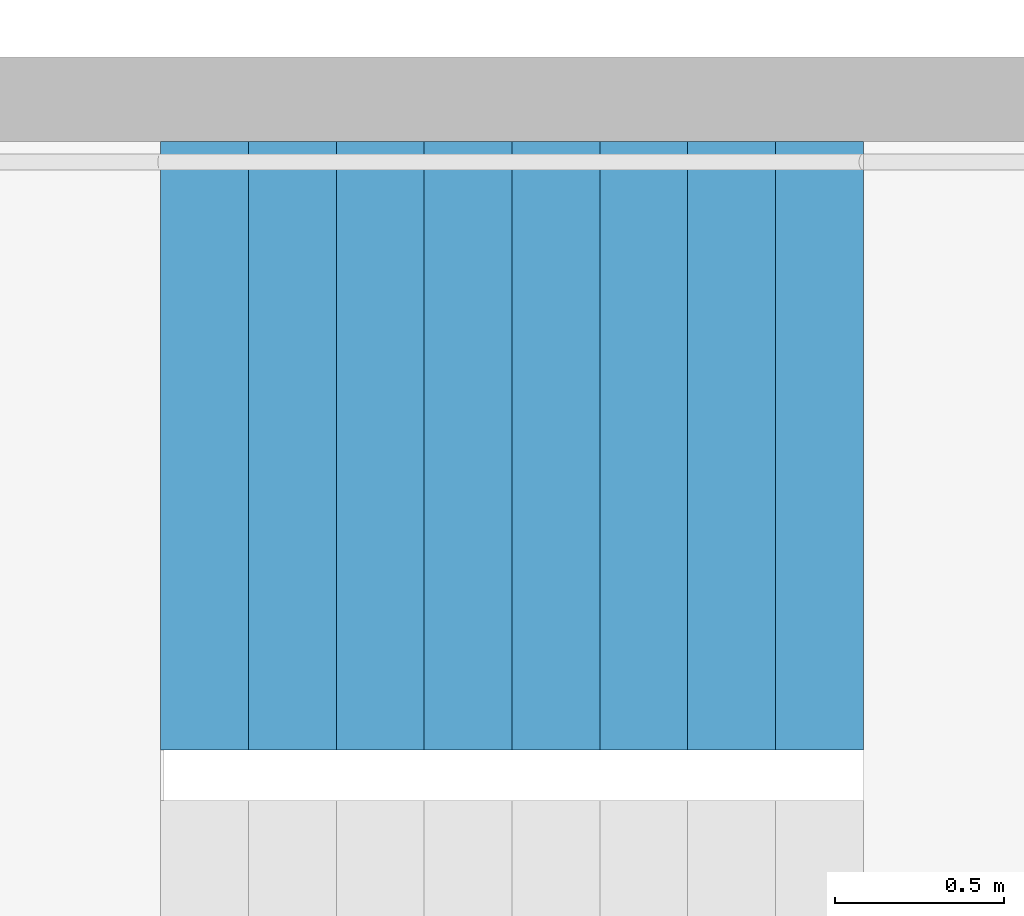
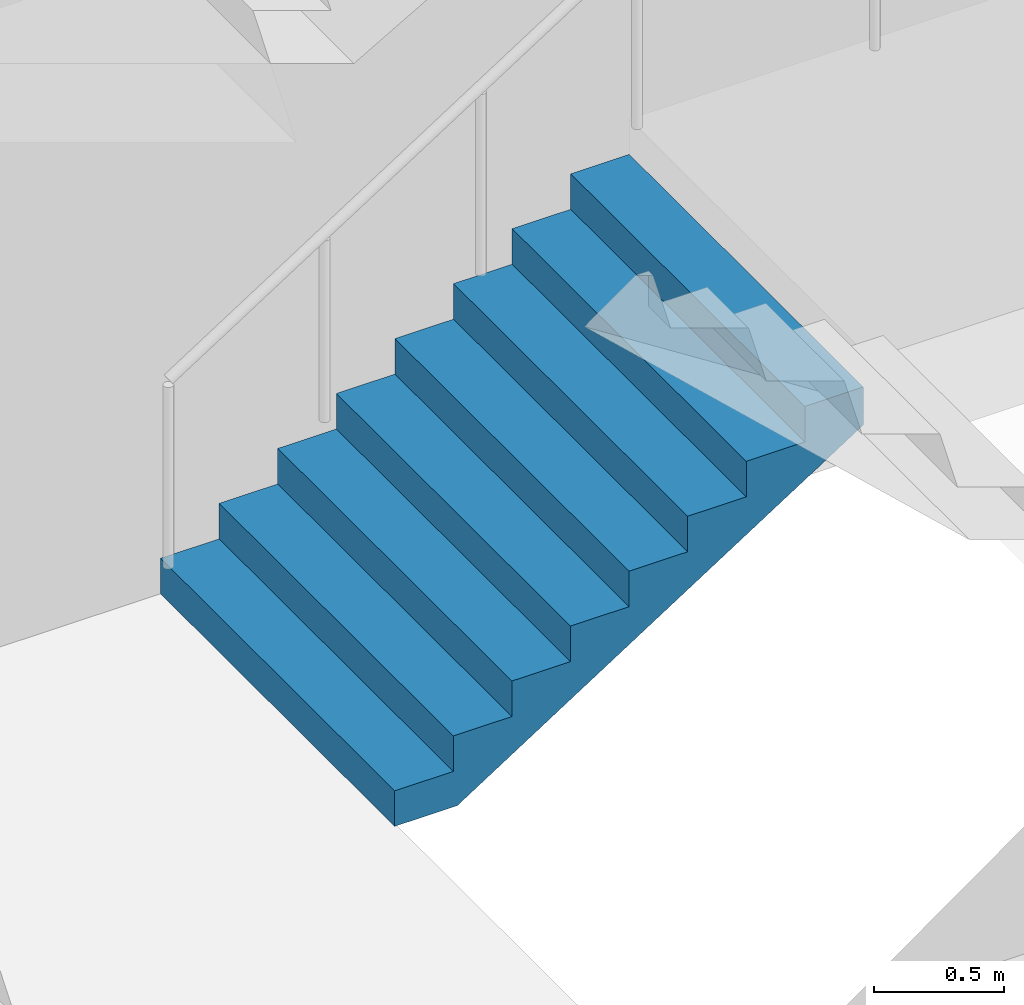
# One storey, part 28 of 35: 1 stair flight, 1 element without a shape of its own.
"""IFC4 building model written with IfcOpenShell, lengths in metres."""

from ifc_helpers import new_model, si_unit, direction, frame, origin, place, context, subcontext, project, spatial, triangles, material, type_object, element, aggregate, save


model = new_model("IFC4")

# Units and contexts
model_context = context("Model", 3, precision=1e-05, world=origin(), true_north=direction((0.0, 1.0)))
body_context = subcontext(model_context, "Body", "Model", "MODEL_VIEW")
ifc_project = project(units=[si_unit("LENGTHUNIT", "METRE"), si_unit("AREAUNIT", "SQUARE_METRE"), si_unit("VOLUMEUNIT", "CUBIC_METRE"), si_unit("PLANEANGLEUNIT", "RADIAN"), si_unit("MASSUNIT", "GRAM", prefix="KILO")], contexts=[model_context])

# Site, building, storey
site_placement = place(None, origin())
site = spatial("IfcSite", under=ifc_project, at=site_placement, CompositionType="ELEMENT")
building_placement = place(site_placement, origin())
building = spatial("IfcBuilding", under=site, at=building_placement, Name="Hakoniwa Tower and Hamabe Station Hall", CompositionType="ELEMENT")
storey_placement = place(building_placement, frame((0.0, 0.0, 264.60009765625)))
storey = spatial("IfcBuildingStorey", under=building, at=storey_placement, Name="L75", CompositionType="ELEMENT", Elevation=264.60009765625)

# Stair, stair flight
ifc_material_1 = material(Name="Concrete C40", Category="concrete")
stair_type = type_object("IfcStairType", Name="ESCAPE STAIR 1800", PredefinedType="HALF_TURN_STAIR", material=ifc_material_1)
stair_placement = place(storey_placement, origin())
stair = element("IfcStair", 1, at=stair_placement, inside=storey, type_object=stair_type, Name="Escape stair ST-4 L75", PredefinedType="HALF_TURN_STAIR")
ifc_material_2 = material(Name="Concrete C40", Category="concrete")
stair_flight_type = type_object("IfcStairFlightType", Name="STAIR FLIGHT 1800", PredefinedType="STRAIGHT", material=ifc_material_2)
stair_flight_placement = place(storey_placement, frame((23.39990234375, -4.64990234375, 0.0), z_axis=(0.0, 0.0, 1.0), x_axis=(1.0, 0.0, 0.0)))
stair_flight = element("IfcStairFlight", 2, at=stair_flight_placement, type_object=stair_flight_type, Name="ST-4 flight 1", NumberOfRisers=9, NumberOfTreads=8, PredefinedType="STRAIGHT", RiserHeight=0.166666667, TreadLength=0.26, context=body_context, shape_type="Tessellation", body=[
    triangles([(0.0, 0.89990234375, 0.0), (0.260009765625, 0.89990234375, 0.0), (0.27783203125, 0.89990234375, 0.0), (0.52001953125, 0.89990234375, 0.1552734375), (0.780029296875, 0.89990234375, 0.322021484375), (1.0400390625, 0.89990234375, 0.488525390625), (1.300048828125, 0.89990234375, 0.6552734375), (1.56005859375, 0.89990234375, 0.822021484375), (1.820068359375, 0.89990234375, 0.988525390625), (2.080078125, 0.89990234375, 1.1552734375), (2.080078125, 0.89990234375, 1.333251953125), (1.820068359375, 0.89990234375, 1.333251953125), (1.820068359375, 0.89990234375, 1.166748046875), (1.56005859375, 0.89990234375, 1.166748046875), (1.56005859375, 0.89990234375, 1.0), (1.300048828125, 0.89990234375, 1.0), (1.300048828125, 0.89990234375, 0.833251953125), (1.0400390625, 0.89990234375, 0.833251953125), (1.0400390625, 0.89990234375, 0.666748046875), (0.780029296875, 0.89990234375, 0.666748046875), (0.780029296875, 0.89990234375, 0.5), (0.52001953125, 0.89990234375, 0.5), (0.52001953125, 0.89990234375, 0.333251953125), (0.27783203125, 0.89990234375, 0.333251953125), (0.260009765625, 0.89990234375, 0.333251953125), (0.260009765625, 0.89990234375, 0.166748046875), (0.0, 0.89990234375, 0.166748046875), (0.0, 0.06005859375, 0.0), (0.260009765625, 0.06005859375, 0.0), (0.27783203125, 0.06005859375, 0.0), (0.52001953125, 0.06005859375, 0.1552734375), (0.780029296875, 0.06005859375, 0.322021484375), (1.0400390625, 0.06005859375, 0.488525390625), (1.300048828125, 0.06005859375, 0.6552734375), (1.56005859375, 0.06005859375, 0.822021484375), (1.820068359375, 0.06005859375, 0.988525390625), (2.080078125, 0.06005859375, 1.1552734375), (2.080078125, 0.06005859375, 1.333251953125), (1.820068359375, 0.06005859375, 1.333251953125), (1.820068359375, 0.06005859375, 1.166748046875), (1.56005859375, 0.06005859375, 1.166748046875), (1.56005859375, 0.06005859375, 1.0), (1.300048828125, 0.06005859375, 1.0), (1.300048828125, 0.06005859375, 0.833251953125), (1.0400390625, 0.06005859375, 0.833251953125), (1.0400390625, 0.06005859375, 0.666748046875), (0.780029296875, 0.06005859375, 0.666748046875), (0.780029296875, 0.06005859375, 0.5), (0.52001953125, 0.06005859375, 0.5), (0.52001953125, 0.06005859375, 0.333251953125), (0.27783203125, 0.06005859375, 0.333251953125), (0.260009765625, 0.06005859375, 0.333251953125), (0.260009765625, 0.06005859375, 0.166748046875), (0.0, 0.06005859375, 0.166748046875), (0.0, 0.04296875, 0.0), (0.260009765625, 0.04296875, 0.0), (0.27783203125, 0.04296875, 0.0), (0.52001953125, 0.04296875, 0.1552734375), (0.780029296875, 0.04296875, 0.322021484375), (1.0400390625, 0.04296875, 0.488525390625), (1.300048828125, 0.04296875, 0.6552734375), (1.56005859375, 0.04296875, 0.822021484375), (1.820068359375, 0.04296875, 0.988525390625), (2.080078125, 0.04296875, 1.1552734375), (2.080078125, 0.04296875, 1.333251953125), (1.820068359375, 0.04296875, 1.333251953125), (1.820068359375, 0.04296875, 1.166748046875), (1.56005859375, 0.04296875, 1.166748046875), (1.56005859375, 0.04296875, 1.0), (1.300048828125, 0.04296875, 1.0), (1.300048828125, 0.04296875, 0.833251953125), (1.0400390625, 0.04296875, 0.833251953125), (1.0400390625, 0.04296875, 0.666748046875), (0.780029296875, 0.04296875, 0.666748046875), (0.780029296875, 0.04296875, 0.5), (0.52001953125, 0.04296875, 0.5), (0.52001953125, 0.04296875, 0.333251953125), (0.27783203125, 0.04296875, 0.333251953125), (0.260009765625, 0.04296875, 0.333251953125), (0.260009765625, 0.04296875, 0.166748046875), (0.0, 0.04296875, 0.166748046875), (0.0, 0.025634765625, 0.0), (0.260009765625, 0.025634765625, 0.0), (0.27783203125, 0.025634765625, 0.0), (0.52001953125, 0.025634765625, 0.1552734375), (0.780029296875, 0.025634765625, 0.322021484375), (1.0400390625, 0.025634765625, 0.488525390625), (1.300048828125, 0.025634765625, 0.6552734375), (1.56005859375, 0.025634765625, 0.822021484375), (1.820068359375, 0.025634765625, 0.988525390625), (2.080078125, 0.025634765625, 1.1552734375), (2.080078125, 0.025634765625, 1.333251953125), (1.820068359375, 0.025634765625, 1.333251953125), (1.820068359375, 0.025634765625, 1.166748046875), (1.56005859375, 0.025634765625, 1.166748046875), (1.56005859375, 0.025634765625, 1.0), (1.300048828125, 0.025634765625, 1.0), (1.300048828125, 0.025634765625, 0.833251953125), (1.0400390625, 0.025634765625, 0.833251953125), (1.0400390625, 0.025634765625, 0.666748046875), (0.780029296875, 0.025634765625, 0.666748046875), (0.780029296875, 0.025634765625, 0.5), (0.52001953125, 0.025634765625, 0.5), (0.52001953125, 0.025634765625, 0.333251953125), (0.27783203125, 0.025634765625, 0.333251953125), (0.260009765625, 0.025634765625, 0.333251953125), (0.260009765625, 0.025634765625, 0.166748046875), (0.0, 0.025634765625, 0.166748046875), (0.0, 0.008544921875, 0.0), (0.260009765625, 0.008544921875, 0.0), (0.27783203125, 0.008544921875, 0.0), (0.52001953125, 0.008544921875, 0.1552734375), (0.780029296875, 0.008544921875, 0.322021484375), (1.0400390625, 0.008544921875, 0.488525390625), (1.300048828125, 0.008544921875, 0.6552734375), (1.56005859375, 0.008544921875, 0.822021484375), (1.820068359375, 0.008544921875, 0.988525390625), (2.080078125, 0.008544921875, 1.1552734375), (2.080078125, 0.008544921875, 1.333251953125), (1.820068359375, 0.008544921875, 1.333251953125), (1.820068359375, 0.008544921875, 1.166748046875), (1.56005859375, 0.008544921875, 1.166748046875), (1.56005859375, 0.008544921875, 1.0), (1.300048828125, 0.008544921875, 1.0), (1.300048828125, 0.008544921875, 0.833251953125), (1.0400390625, 0.008544921875, 0.833251953125), (1.0400390625, 0.008544921875, 0.666748046875), (0.780029296875, 0.008544921875, 0.666748046875), (0.780029296875, 0.008544921875, 0.5), (0.52001953125, 0.008544921875, 0.5), (0.52001953125, 0.008544921875, 0.333251953125), (0.27783203125, 0.008544921875, 0.333251953125), (0.260009765625, 0.008544921875, 0.333251953125), (0.260009765625, 0.008544921875, 0.166748046875), (0.0, 0.008544921875, 0.166748046875), (0.0, -0.008544921875, 0.0), (0.260009765625, -0.008544921875, 0.0), (0.27783203125, -0.008544921875, 0.0), (0.52001953125, -0.008544921875, 0.1552734375), (0.780029296875, -0.008544921875, 0.322021484375), (1.0400390625, -0.008544921875, 0.488525390625), (1.300048828125, -0.008544921875, 0.6552734375), (1.56005859375, -0.008544921875, 0.822021484375), (1.820068359375, -0.008544921875, 0.988525390625), (2.080078125, -0.008544921875, 1.1552734375), (2.080078125, -0.008544921875, 1.333251953125), (1.820068359375, -0.008544921875, 1.333251953125), (1.820068359375, -0.008544921875, 1.166748046875), (1.56005859375, -0.008544921875, 1.166748046875), (1.56005859375, -0.008544921875, 1.0), (1.300048828125, -0.008544921875, 1.0), (1.300048828125, -0.008544921875, 0.833251953125), (1.0400390625, -0.008544921875, 0.833251953125), (1.0400390625, -0.008544921875, 0.666748046875), (0.780029296875, -0.008544921875, 0.666748046875), (0.780029296875, -0.008544921875, 0.5), (0.52001953125, -0.008544921875, 0.5), (0.52001953125, -0.008544921875, 0.333251953125), (0.27783203125, -0.008544921875, 0.333251953125), (0.260009765625, -0.008544921875, 0.333251953125), (0.260009765625, -0.008544921875, 0.166748046875), (0.0, -0.008544921875, 0.166748046875), (0.0, -0.025634765625, 0.0), (0.260009765625, -0.025634765625, 0.0), (0.27783203125, -0.025634765625, 0.0), (0.52001953125, -0.025634765625, 0.1552734375), (0.780029296875, -0.025634765625, 0.322021484375), (1.0400390625, -0.025634765625, 0.488525390625), (1.300048828125, -0.025634765625, 0.6552734375), (1.56005859375, -0.025634765625, 0.822021484375), (1.820068359375, -0.025634765625, 0.988525390625), (2.080078125, -0.025634765625, 1.1552734375), (2.080078125, -0.025634765625, 1.333251953125), (1.820068359375, -0.025634765625, 1.333251953125), (1.820068359375, -0.025634765625, 1.166748046875), (1.56005859375, -0.025634765625, 1.166748046875), (1.56005859375, -0.025634765625, 1.0), (1.300048828125, -0.025634765625, 1.0), (1.300048828125, -0.025634765625, 0.833251953125), (1.0400390625, -0.025634765625, 0.833251953125), (1.0400390625, -0.025634765625, 0.666748046875), (0.780029296875, -0.025634765625, 0.666748046875), (0.780029296875, -0.025634765625, 0.5), (0.52001953125, -0.025634765625, 0.5), (0.52001953125, -0.025634765625, 0.333251953125), (0.27783203125, -0.025634765625, 0.333251953125), (0.260009765625, -0.025634765625, 0.333251953125), (0.260009765625, -0.025634765625, 0.166748046875), (0.0, -0.025634765625, 0.166748046875), (0.0, -0.04296875, 0.0), (0.260009765625, -0.04296875, 0.0), (0.27783203125, -0.04296875, 0.0), (0.52001953125, -0.04296875, 0.1552734375), (0.780029296875, -0.04296875, 0.322021484375), (1.0400390625, -0.04296875, 0.488525390625), (1.300048828125, -0.04296875, 0.6552734375), (1.56005859375, -0.04296875, 0.822021484375), (1.820068359375, -0.04296875, 0.988525390625), (2.080078125, -0.04296875, 1.1552734375), (2.080078125, -0.04296875, 1.333251953125), (1.820068359375, -0.04296875, 1.333251953125), (1.820068359375, -0.04296875, 1.166748046875), (1.56005859375, -0.04296875, 1.166748046875), (1.56005859375, -0.04296875, 1.0), (1.300048828125, -0.04296875, 1.0), (1.300048828125, -0.04296875, 0.833251953125), (1.0400390625, -0.04296875, 0.833251953125), (1.0400390625, -0.04296875, 0.666748046875), (0.780029296875, -0.04296875, 0.666748046875), (0.780029296875, -0.04296875, 0.5), (0.52001953125, -0.04296875, 0.5), (0.52001953125, -0.04296875, 0.333251953125), (0.27783203125, -0.04296875, 0.333251953125), (0.260009765625, -0.04296875, 0.333251953125), (0.260009765625, -0.04296875, 0.166748046875), (0.0, -0.04296875, 0.166748046875), (0.0, -0.06005859375, 0.0), (0.260009765625, -0.06005859375, 0.0), (0.27783203125, -0.06005859375, 0.0), (0.52001953125, -0.06005859375, 0.1552734375), (0.780029296875, -0.06005859375, 0.322021484375), (1.0400390625, -0.06005859375, 0.488525390625), (1.300048828125, -0.06005859375, 0.6552734375), (1.56005859375, -0.06005859375, 0.822021484375), (1.820068359375, -0.06005859375, 0.988525390625), (2.080078125, -0.06005859375, 1.1552734375), (2.080078125, -0.06005859375, 1.333251953125), (1.820068359375, -0.06005859375, 1.333251953125), (1.820068359375, -0.06005859375, 1.166748046875), (1.56005859375, -0.06005859375, 1.166748046875), (1.56005859375, -0.06005859375, 1.0), (1.300048828125, -0.06005859375, 1.0), (1.300048828125, -0.06005859375, 0.833251953125), (1.0400390625, -0.06005859375, 0.833251953125), (1.0400390625, -0.06005859375, 0.666748046875), (0.780029296875, -0.06005859375, 0.666748046875), (0.780029296875, -0.06005859375, 0.5), (0.52001953125, -0.06005859375, 0.5), (0.52001953125, -0.06005859375, 0.333251953125), (0.27783203125, -0.06005859375, 0.333251953125), (0.260009765625, -0.06005859375, 0.333251953125), (0.260009765625, -0.06005859375, 0.166748046875), (0.0, -0.06005859375, 0.166748046875), (0.0, -0.89990234375, 0.0), (0.260009765625, -0.89990234375, 0.0), (0.27783203125, -0.89990234375, 0.0), (0.52001953125, -0.89990234375, 0.1552734375), (0.780029296875, -0.89990234375, 0.322021484375), (1.0400390625, -0.89990234375, 0.488525390625), (1.300048828125, -0.89990234375, 0.6552734375), (1.56005859375, -0.89990234375, 0.822021484375), (1.820068359375, -0.89990234375, 0.988525390625), (2.080078125, -0.89990234375, 1.1552734375), (2.080078125, -0.89990234375, 1.333251953125), (1.820068359375, -0.89990234375, 1.333251953125), (1.820068359375, -0.89990234375, 1.166748046875), (1.56005859375, -0.89990234375, 1.166748046875), (1.56005859375, -0.89990234375, 1.0), (1.300048828125, -0.89990234375, 1.0), (1.300048828125, -0.89990234375, 0.833251953125), (1.0400390625, -0.89990234375, 0.833251953125), (1.0400390625, -0.89990234375, 0.666748046875), (0.780029296875, -0.89990234375, 0.666748046875), (0.780029296875, -0.89990234375, 0.5), (0.52001953125, -0.89990234375, 0.5), (0.52001953125, -0.89990234375, 0.333251953125), (0.27783203125, -0.89990234375, 0.333251953125), (0.260009765625, -0.89990234375, 0.333251953125), (0.260009765625, -0.89990234375, 0.166748046875), (0.0, -0.89990234375, 0.166748046875)], [[2, 27, 26], [245, 269, 270], [2, 1, 27], [245, 270, 244], [3, 25, 24], [246, 267, 268], [3, 26, 25], [246, 268, 269], [3, 2, 26], [246, 269, 245], [4, 24, 23], [247, 266, 267], [4, 3, 24], [247, 267, 246], [5, 22, 21], [248, 264, 265], [5, 23, 22], [248, 265, 266], [5, 4, 23], [248, 266, 247], [6, 20, 19], [249, 262, 263], [6, 21, 20], [249, 263, 264], [6, 5, 21], [249, 264, 248], [7, 18, 17], [250, 260, 261], [7, 19, 18], [250, 261, 262], [7, 6, 19], [250, 262, 249], [8, 16, 15], [251, 258, 259], [8, 17, 16], [251, 259, 260], [8, 7, 17], [251, 260, 250], [9, 14, 13], [252, 256, 257], [9, 15, 14], [252, 257, 258], [9, 8, 15], [252, 258, 251], [10, 12, 11], [253, 254, 255], [10, 13, 12], [253, 255, 256], [10, 9, 13], [253, 256, 252], [1, 2, 29], [1, 29, 28], [28, 29, 56], [28, 56, 55], [55, 56, 83], [55, 83, 82], [82, 83, 110], [82, 110, 109], [109, 110, 137], [109, 137, 136], [136, 137, 164], [136, 164, 163], [163, 164, 191], [163, 191, 190], [190, 191, 218], [190, 218, 217], [217, 218, 245], [217, 245, 244], [2, 3, 30], [2, 30, 29], [29, 30, 57], [29, 57, 56], [56, 57, 84], [56, 84, 83], [83, 84, 111], [83, 111, 110], [110, 111, 138], [110, 138, 137], [137, 138, 165], [137, 165, 164], [164, 165, 192], [164, 192, 191], [191, 192, 219], [191, 219, 218], [218, 219, 246], [218, 246, 245], [3, 4, 31], [3, 31, 30], [30, 31, 58], [30, 58, 57], [57, 58, 85], [57, 85, 84], [84, 85, 112], [84, 112, 111], [111, 112, 139], [111, 139, 138], [138, 139, 166], [138, 166, 165], [165, 166, 193], [165, 193, 192], [192, 193, 220], [192, 220, 219], [219, 220, 247], [219, 247, 246], [4, 5, 32], [4, 32, 31], [31, 32, 59], [31, 59, 58], [58, 59, 86], [58, 86, 85], [85, 86, 113], [85, 113, 112], [112, 113, 140], [112, 140, 139], [139, 140, 167], [139, 167, 166], [166, 167, 194], [166, 194, 193], [193, 194, 221], [193, 221, 220], [220, 221, 248], [220, 248, 247], [5, 6, 33], [5, 33, 32], [32, 33, 60], [32, 60, 59], [59, 60, 87], [59, 87, 86], [86, 87, 114], [86, 114, 113], [113, 114, 141], [113, 141, 140], [140, 141, 168], [140, 168, 167], [167, 168, 195], [167, 195, 194], [194, 195, 222], [194, 222, 221], [221, 222, 249], [221, 249, 248], [6, 7, 34], [6, 34, 33], [33, 34, 61], [33, 61, 60], [60, 61, 88], [60, 88, 87], [87, 88, 115], [87, 115, 114], [114, 115, 142], [114, 142, 141], [141, 142, 169], [141, 169, 168], [168, 169, 196], [168, 196, 195], [195, 196, 223], [195, 223, 222], [222, 223, 250], [222, 250, 249], [7, 8, 35], [7, 35, 34], [34, 35, 62], [34, 62, 61], [61, 62, 89], [61, 89, 88], [88, 89, 116], [88, 116, 115], [115, 116, 143], [115, 143, 142], [142, 143, 170], [142, 170, 169], [169, 170, 197], [169, 197, 196], [196, 197, 224], [196, 224, 223], [223, 224, 251], [223, 251, 250], [8, 9, 36], [8, 36, 35], [35, 36, 63], [35, 63, 62], [62, 63, 90], [62, 90, 89], [89, 90, 117], [89, 117, 116], [116, 117, 144], [116, 144, 143], [143, 144, 171], [143, 171, 170], [170, 171, 198], [170, 198, 197], [197, 198, 225], [197, 225, 224], [224, 225, 252], [224, 252, 251], [9, 10, 37], [9, 37, 36], [36, 37, 64], [36, 64, 63], [63, 64, 91], [63, 91, 90], [90, 91, 118], [90, 118, 117], [117, 118, 145], [117, 145, 144], [144, 145, 172], [144, 172, 171], [171, 172, 199], [171, 199, 198], [198, 199, 226], [198, 226, 225], [225, 226, 253], [225, 253, 252], [10, 11, 38], [10, 38, 37], [37, 38, 65], [37, 65, 64], [64, 65, 92], [64, 92, 91], [91, 92, 119], [91, 119, 118], [118, 119, 146], [118, 146, 145], [145, 146, 173], [145, 173, 172], [172, 173, 200], [172, 200, 199], [199, 200, 227], [199, 227, 226], [226, 227, 254], [226, 254, 253], [11, 12, 39], [11, 39, 38], [38, 39, 66], [38, 66, 65], [65, 66, 93], [65, 93, 92], [92, 93, 120], [92, 120, 119], [119, 120, 147], [119, 147, 146], [146, 147, 174], [146, 174, 173], [173, 174, 201], [173, 201, 200], [200, 201, 228], [200, 228, 227], [227, 228, 255], [227, 255, 254], [12, 13, 40], [12, 40, 39], [39, 40, 67], [39, 67, 66], [66, 67, 94], [66, 94, 93], [93, 94, 121], [93, 121, 120], [120, 121, 148], [120, 148, 147], [147, 148, 175], [147, 175, 174], [174, 175, 202], [174, 202, 201], [201, 202, 229], [201, 229, 228], [228, 229, 256], [228, 256, 255], [13, 14, 41], [13, 41, 40], [40, 41, 68], [40, 68, 67], [67, 68, 95], [67, 95, 94], [94, 95, 122], [94, 122, 121], [121, 122, 149], [121, 149, 148], [148, 149, 176], [148, 176, 175], [175, 176, 203], [175, 203, 202], [202, 203, 230], [202, 230, 229], [229, 230, 257], [229, 257, 256], [14, 15, 42], [14, 42, 41], [41, 42, 69], [41, 69, 68], [68, 69, 96], [68, 96, 95], [95, 96, 123], [95, 123, 122], [122, 123, 150], [122, 150, 149], [149, 150, 177], [149, 177, 176], [176, 177, 204], [176, 204, 203], [203, 204, 231], [203, 231, 230], [230, 231, 258], [230, 258, 257], [15, 16, 43], [15, 43, 42], [42, 43, 70], [42, 70, 69], [69, 70, 97], [69, 97, 96], [96, 97, 124], [96, 124, 123], [123, 124, 151], [123, 151, 150], [150, 151, 178], [150, 178, 177], [177, 178, 205], [177, 205, 204], [204, 205, 232], [204, 232, 231], [231, 232, 259], [231, 259, 258], [16, 17, 44], [16, 44, 43], [43, 44, 71], [43, 71, 70], [70, 71, 98], [70, 98, 97], [97, 98, 125], [97, 125, 124], [124, 125, 152], [124, 152, 151], [151, 152, 179], [151, 179, 178], [178, 179, 206], [178, 206, 205], [205, 206, 233], [205, 233, 232], [232, 233, 260], [232, 260, 259], [17, 18, 45], [17, 45, 44], [44, 45, 72], [44, 72, 71], [71, 72, 99], [71, 99, 98], [98, 99, 126], [98, 126, 125], [125, 126, 153], [125, 153, 152], [152, 153, 180], [152, 180, 179], [179, 180, 207], [179, 207, 206], [206, 207, 234], [206, 234, 233], [233, 234, 261], [233, 261, 260], [18, 19, 46], [18, 46, 45], [45, 46, 73], [45, 73, 72], [72, 73, 100], [72, 100, 99], [99, 100, 127], [99, 127, 126], [126, 127, 154], [126, 154, 153], [153, 154, 181], [153, 181, 180], [180, 181, 208], [180, 208, 207], [207, 208, 235], [207, 235, 234], [234, 235, 262], [234, 262, 261], [19, 20, 47], [19, 47, 46], [46, 47, 74], [46, 74, 73], [73, 74, 101], [73, 101, 100], [100, 101, 128], [100, 128, 127], [127, 128, 155], [127, 155, 154], [154, 155, 182], [154, 182, 181], [181, 182, 209], [181, 209, 208], [208, 209, 236], [208, 236, 235], [235, 236, 263], [235, 263, 262], [20, 21, 48], [20, 48, 47], [47, 48, 75], [47, 75, 74], [74, 75, 102], [74, 102, 101], [101, 102, 129], [101, 129, 128], [128, 129, 156], [128, 156, 155], [155, 156, 183], [155, 183, 182], [182, 183, 210], [182, 210, 209], [209, 210, 237], [209, 237, 236], [236, 237, 264], [236, 264, 263], [21, 22, 49], [21, 49, 48], [48, 49, 76], [48, 76, 75], [75, 76, 103], [75, 103, 102], [102, 103, 130], [102, 130, 129], [129, 130, 157], [129, 157, 156], [156, 157, 184], [156, 184, 183], [183, 184, 211], [183, 211, 210], [210, 211, 238], [210, 238, 237], [237, 238, 265], [237, 265, 264], [22, 23, 50], [22, 50, 49], [49, 50, 77], [49, 77, 76], [76, 77, 104], [76, 104, 103], [103, 104, 131], [103, 131, 130], [130, 131, 158], [130, 158, 157], [157, 158, 185], [157, 185, 184], [184, 185, 212], [184, 212, 211], [211, 212, 239], [211, 239, 238], [238, 239, 266], [238, 266, 265], [23, 24, 51], [23, 51, 50], [50, 51, 78], [50, 78, 77], [77, 78, 105], [77, 105, 104], [104, 105, 132], [104, 132, 131], [131, 132, 159], [131, 159, 158], [158, 159, 186], [158, 186, 185], [185, 186, 213], [185, 213, 212], [212, 213, 240], [212, 240, 239], [239, 240, 267], [239, 267, 266], [24, 25, 52], [24, 52, 51], [51, 52, 79], [51, 79, 78], [78, 79, 106], [78, 106, 105], [105, 106, 133], [105, 133, 132], [132, 133, 160], [132, 160, 159], [159, 160, 187], [159, 187, 186], [186, 187, 214], [186, 214, 213], [213, 214, 241], [213, 241, 240], [240, 241, 268], [240, 268, 267], [25, 26, 53], [25, 53, 52], [52, 53, 80], [52, 80, 79], [79, 80, 107], [79, 107, 106], [106, 107, 134], [106, 134, 133], [133, 134, 161], [133, 161, 160], [160, 161, 188], [160, 188, 187], [187, 188, 215], [187, 215, 214], [214, 215, 242], [214, 242, 241], [241, 242, 269], [241, 269, 268], [26, 27, 54], [26, 54, 53], [53, 54, 81], [53, 81, 80], [80, 81, 108], [80, 108, 107], [107, 108, 135], [107, 135, 134], [134, 135, 162], [134, 162, 161], [161, 162, 189], [161, 189, 188], [188, 189, 216], [188, 216, 215], [215, 216, 243], [215, 243, 242], [242, 243, 270], [242, 270, 269], [27, 1, 28], [27, 28, 54], [54, 28, 55], [54, 55, 81], [81, 55, 82], [81, 82, 108], [108, 82, 109], [108, 109, 135], [135, 109, 136], [135, 136, 162], [162, 136, 163], [162, 163, 189], [189, 163, 190], [189, 190, 216], [216, 190, 217], [216, 217, 243], [243, 217, 244], [243, 244, 270]], closed=True),
])
aggregate(stair, [stair_flight])

save(model, "model.ifc")
